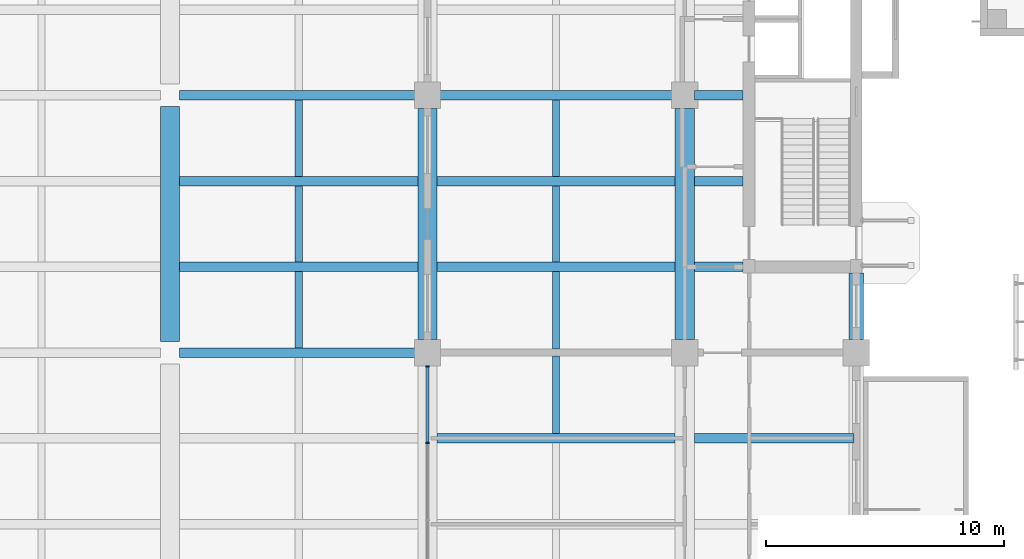
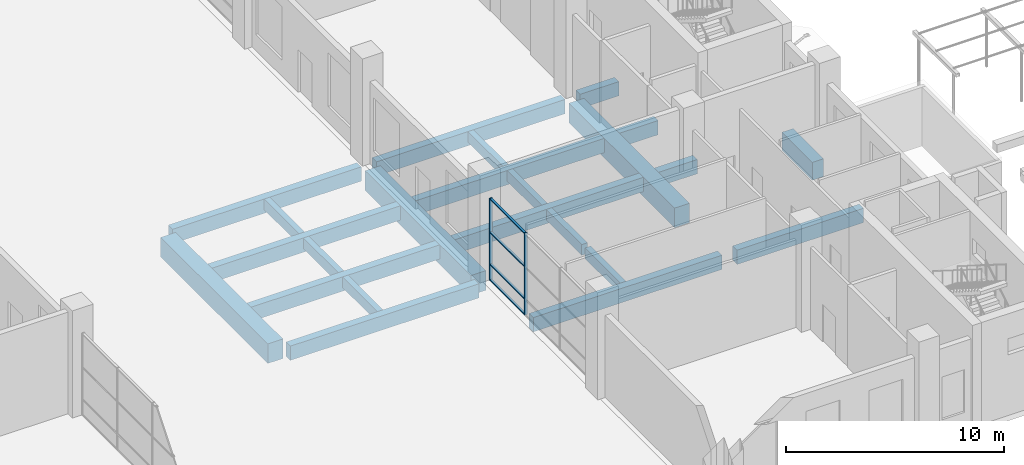
# One storey, part 29 of 71: 23 beams, 6 members, 1 element without a shape of its own.
"""IFC4 building model written with IfcOpenShell, lengths in metres."""

from ifc_helpers import new_model, si_unit, direction, frame, origin, origin_2d, place, context, subcontext, project, spatial, rectangle, extrude, material, layer, layer_set, material_profile, profile_set, type_object, element, aggregate, save


model = new_model("IFC4")

# Units and contexts
model_context = context("Model", 3, precision=1e-05, world=origin(), true_north=direction((0.0, 1.0)))
body_context = subcontext(model_context, "Body", "Model", "MODEL_VIEW")
ifc_project = project(units=[si_unit("LENGTHUNIT", "METRE"), si_unit("AREAUNIT", "SQUARE_METRE"), si_unit("VOLUMEUNIT", "CUBIC_METRE"), si_unit("PLANEANGLEUNIT", "RADIAN"), si_unit("MASSUNIT", "GRAM", prefix="KILO")], contexts=[model_context])

# Site, building, storey
site_placement = place(None, origin())
site = spatial("IfcSite", under=ifc_project, at=site_placement, CompositionType="ELEMENT")
building_placement = place(site_placement, origin())
building = spatial("IfcBuilding", under=site, at=building_placement, Name="Basin Gate Institute", CompositionType="ELEMENT")
storey_placement = place(building_placement, origin())
storey = spatial("IfcBuildingStorey", under=building, at=storey_placement, Name="L00", CompositionType="ELEMENT", Elevation=0.0)

# Beams
ifc_material_1 = material(Name="Concrete 40 MPa", Category="concrete")
ifc_material_profile_1 = material_profile(ifc_material_1, rectangle(XDim=0.39990234375, YDim=0.800048828125, at=origin_2d()), Name="Beam B2 400 x 800")
ifc_profile_set_1 = profile_set([ifc_material_profile_1], Name="Concrete 40 MPa")
beam_type_1 = type_object("IfcBeamType", Name="Beam B2 R180", PredefinedType="BEAM", material=ifc_profile_set_1)
beam_1_placement = place(storey_placement, frame((111.199951171875, 53.10009765625, -0.699951171875), z_axis=(-1.0, 0.0, 0.0), x_axis=(0.0, -1.0, 0.0)))
element("IfcBeam", 1, at=beam_1_placement, inside=storey, type_object=beam_type_1, material=ifc_profile_set_1, Name="BEAM/L00/E/EW/06", PredefinedType="BEAM", context=body_context, shape_type="SweptSolid", body=[
    extrude(rectangle(XDim=0.39990234375, YDim=0.800048828125, at=origin_2d()), origin(), (0.0, 0.0, 1.0), 10.0),
])
beam_2_placement = place(storey_placement, frame((118.699951171875, 53.10009765625, -0.699951171875), z_axis=(-1.0, 0.0, 0.0), x_axis=(0.0, -1.0, 0.0)))
element("IfcBeam", 2, at=beam_2_placement, inside=storey, type_object=beam_type_1, material=ifc_profile_set_1, Name="BEAM/L00/E/OUT/06", PredefinedType="BEAM", context=body_context, shape_type="SweptSolid", body=[
    extrude(rectangle(XDim=0.39990234375, YDim=0.800048828125, at=origin_2d()), origin(), (0.0, 0.0, 1.0), 6.699951171875),
])
beam_3_placement = place(storey_placement, frame((111.199951171875, 60.300048828125, -0.699951171875), z_axis=(-1.0, 0.0, 0.0), x_axis=(0.0, -1.0, 0.0)))
element("IfcBeam", 3, at=beam_3_placement, inside=storey, type_object=beam_type_1, material=ifc_profile_set_1, Name="BEAM/L00/E/EW/08", PredefinedType="BEAM", context=body_context, shape_type="SweptSolid", body=[
    extrude(rectangle(XDim=0.39990234375, YDim=0.800048828125, at=origin_2d()), origin(), (0.0, 0.0, 1.0), 10.0),
])
beam_4_placement = place(storey_placement, frame((114.050048828125, 60.300048828125, -0.699951171875), z_axis=(-1.0, 0.0, 0.0), x_axis=(0.0, -1.0, 0.0)))
element("IfcBeam", 4, at=beam_4_placement, inside=storey, type_object=beam_type_1, material=ifc_profile_set_1, Name="BEAM/L00/E/CORR/08", PredefinedType="BEAM", context=body_context, shape_type="SweptSolid", body=[
    extrude(rectangle(XDim=0.39990234375, YDim=0.800048828125, at=origin_2d()), origin(), (0.0, 0.0, 1.0), 2.050048828125),
])
beam_5_placement = place(storey_placement, frame((111.199951171875, 63.89990234375, -0.699951171875), z_axis=(-1.0, 0.0, 0.0), x_axis=(0.0, -1.0, 0.0)))
element("IfcBeam", 5, at=beam_5_placement, inside=storey, type_object=beam_type_1, material=ifc_profile_set_1, Name="BEAM/L00/E/EW/09", PredefinedType="BEAM", context=body_context, shape_type="SweptSolid", body=[
    extrude(rectangle(XDim=0.39990234375, YDim=0.800048828125, at=origin_2d()), origin(), (0.0, 0.0, 1.0), 10.0),
])
beam_6_placement = place(storey_placement, frame((114.050048828125, 63.89990234375, -0.699951171875), z_axis=(-1.0, 0.0, 0.0), x_axis=(0.0, -1.0, 0.0)))
element("IfcBeam", 6, at=beam_6_placement, inside=storey, type_object=beam_type_1, material=ifc_profile_set_1, Name="BEAM/L00/E/CORR/09", PredefinedType="BEAM", context=body_context, shape_type="SweptSolid", body=[
    extrude(rectangle(XDim=0.39990234375, YDim=0.800048828125, at=origin_2d()), origin(), (0.0, 0.0, 1.0), 2.050048828125),
])
beam_7_placement = place(storey_placement, frame((111.199951171875, 67.5, -0.699951171875), z_axis=(-1.0, 0.0, 0.0), x_axis=(0.0, -1.0, 0.0)))
element("IfcBeam", 7, at=beam_7_placement, inside=storey, type_object=beam_type_1, material=ifc_profile_set_1, Name="BEAM/L00/E/EW/10", PredefinedType="BEAM", context=body_context, shape_type="SweptSolid", body=[
    extrude(rectangle(XDim=0.39990234375, YDim=0.800048828125, at=origin_2d()), origin(), (0.0, 0.0, 1.0), 10.0),
])
beam_8_placement = place(storey_placement, frame((114.050048828125, 67.5, -0.699951171875), z_axis=(-1.0, 0.0, 0.0), x_axis=(0.0, -1.0, 0.0)))
element("IfcBeam", 8, at=beam_8_placement, inside=storey, type_object=beam_type_1, material=ifc_profile_set_1, Name="BEAM/L00/E/CORR/10", PredefinedType="BEAM", context=body_context, shape_type="SweptSolid", body=[
    extrude(rectangle(XDim=0.39990234375, YDim=0.800048828125, at=origin_2d()), origin(), (0.0, 0.0, 1.0), 2.050048828125),
])
for number, where, z_axis, x_axis, name in (
    (9, (90.39990234375, 56.699951171875, -0.699951171875), (1.0, 0.0, 0.0), (0.0, 1.0, 0.0), "BEAM/L00/CAN/E/07"),
    (10, (90.39990234375, 60.300048828125, -0.699951171875), (1.0, 0.0, 0.0), (0.0, 1.0, 0.0), "BEAM/L00/CAN/E/08"),
    (11, (90.39990234375, 63.89990234375, -0.699951171875), (1.0, 0.0, 0.0), (0.0, 1.0, 0.0), "BEAM/L00/CAN/E/09"),
    (12, (90.39990234375, 67.5, -0.699951171875), (1.0, 0.0, 0.0), (0.0, 1.0, 0.0), "BEAM/L00/CAN/E/10"),
):
    element("IfcBeam", number, at=place(storey_placement, frame(where, z_axis=z_axis, x_axis=x_axis)), inside=storey, type_object=beam_type_1, material=ifc_profile_set_1, Name=name, PredefinedType="BEAM", context=body_context, shape_type="SweptSolid", body=[
        extrude(rectangle(XDim=0.39990234375, YDim=0.800048828125, at=origin_2d()), origin(), (0.0, 0.0, 1.0), 10.0),
    ])
ifc_material_2 = material(Name="Concrete 50 MPa", Category="concrete")
ifc_material_profile_2 = material_profile(ifc_material_2, rectangle(XDim=0.60009765625, YDim=1.0, at=origin_2d()), Name="Edge return beam EB4 600 x 1000")
ifc_profile_set_2 = profile_set([ifc_material_profile_2], Name="Concrete 50 MPa")
beam_type_2 = type_object("IfcBeamType", Name="Edge return beam EB4 R180", PredefinedType="SPANDREL", material=ifc_profile_set_2)
beam_9_placement = place(storey_placement, frame((118.800048828125, 57.25, -0.800048828125), z_axis=(0.0, 1.0, 0.0), x_axis=(-1.0, 0.0, 0.0)))
element("IfcBeam", 13, at=beam_9_placement, inside=storey, type_object=beam_type_2, material=ifc_profile_set_2, Name="BEAM/L00/E/EDGE/2", PredefinedType="SPANDREL", context=body_context, shape_type="SweptSolid", body=[
    extrude(rectangle(XDim=0.60009765625, YDim=1.0, at=origin_2d()), origin(), (0.0, 0.0, 1.0), 2.800048828125),
])
ifc_material_3 = material(Name="Concrete 50 MPa", Category="concrete")
ifc_material_profile_3 = material_profile(ifc_material_3, rectangle(XDim=0.800048828125, YDim=1.10009765625, at=origin_2d()), Name="Girder G2 800 x 1100")
ifc_profile_set_3 = profile_set([ifc_material_profile_3], Name="Concrete 50 MPa")
beam_type_3 = type_object("IfcBeamType", Name="Girder G2 R180", PredefinedType="BEAM", material=ifc_profile_set_3)
for number, where, z_axis, x_axis, name in (
    (14, (111.60009765625, 57.25, -0.85009765625), (0.0, 1.0, 0.0), (-1.0, 0.0, 0.0), "GIR/L00/E8/3"),
    (15, (100.800048828125, 57.25, -0.85009765625), (0.0, 1.0, 0.0), (-1.0, 0.0, 0.0), "GIR/L00/E7/3"),
):
    element("IfcBeam", number, at=place(storey_placement, frame(where, z_axis=z_axis, x_axis=x_axis)), inside=storey, type_object=beam_type_3, material=ifc_profile_set_3, Name=name, PredefinedType="BEAM", context=body_context, shape_type="SweptSolid", body=[
        extrude(rectangle(XDim=0.800048828125, YDim=1.10009765625, at=origin_2d()), origin(), (0.0, 0.0, 1.0), 9.699951171875),
    ])
beam_10_placement = place(storey_placement, frame((90.0, 57.175048828125, -0.85009765625), z_axis=(0.0, 1.0, 0.0), x_axis=(-1.0, 0.0, 0.0)))
element("IfcBeam", 16, at=beam_10_placement, inside=storey, type_object=beam_type_3, material=ifc_profile_set_3, Name="GIR/L00/C65/3", PredefinedType="BEAM", context=body_context, shape_type="SweptSolid", body=[
    extrude(rectangle(XDim=0.800048828125, YDim=1.10009765625, at=origin_2d()), origin(), (0.0, 0.0, 1.0), 9.849853515625),
])

# Curtain wall, members
ifc_material_4 = material(Name="Fire-resistant glazing in steel-free frame", Category="steel")
ifc_layer = layer(ifc_material_4, 0.199951171875)
ifc_layer_set = layer_set([ifc_layer], Name="Fire-resistant glazing in steel-free frame")
curtain_wall_type = type_object("IfcCurtainWallType", Name="Atrium rated curtain wall CW3", PredefinedType="NOTDEFINED", material=ifc_layer_set)
curtain_wall_placement = place(storey_placement, origin())
curtain_wall = element("IfcCurtainWall", 17, at=curtain_wall_placement, inside=storey, type_object=curtain_wall_type, material=ifc_layer_set, Name="Atrium rated curtain wall E wing atrium bay 2 L00", PredefinedType="NOTDEFINED")
ifc_material_5 = material(Name="Aluminium", Category="aluminium")
ifc_material_profile_4 = material_profile(ifc_material_5, rectangle(XDim=0.14990234375, YDim=0.06005859375, at=origin_2d()), Name="Mullion MU3 150 x 60")
ifc_profile_set_4 = profile_set([ifc_material_profile_4], Name="Aluminium")
member_type_1 = type_object("IfcMemberType", Name="Mullion MU3", PredefinedType="MULLION", material=ifc_profile_set_4)
member_1_placement = place(storey_placement, frame((100.800048828125, 52.916748046875, 0.0), z_axis=(0.0, 0.0, 1.0), x_axis=(-1.0, 0.0, 0.0)))
member_1 = element("IfcMember", 18, at=member_1_placement, type_object=member_type_1, material=ifc_profile_set_4, Name="CW3 mullion 3", PredefinedType="MULLION", context=body_context, shape_type="SweptSolid", body=[
    extrude(rectangle(XDim=0.14990234375, YDim=0.06005859375, at=origin_2d()), origin(), (0.0, 0.0, 1.0), 4.60009765625),
])
member_2_placement = place(storey_placement, frame((100.800048828125, 56.1201171875, 0.0), z_axis=(0.0, 0.0, 1.0), x_axis=(-1.0, 0.0, 0.0)))
member_2 = element("IfcMember", 19, at=member_2_placement, type_object=member_type_1, material=ifc_profile_set_4, Name="CW3 mullion 4", PredefinedType="MULLION", context=body_context, shape_type="SweptSolid", body=[
    extrude(rectangle(XDim=0.14990234375, YDim=0.06005859375, at=origin_2d()), origin(), (0.0, 0.0, 1.0), 4.60009765625),
])

# Beams
ifc_material_6 = material(Name="Concrete 40 MPa", Category="concrete")
ifc_material_profile_5 = material_profile(ifc_material_6, rectangle(XDim=0.300048828125, YDim=0.60009765625, at=origin_2d()), Name="Rib R2 300 x 600")
ifc_profile_set_5 = profile_set([ifc_material_profile_5], Name="Concrete 40 MPa")
beam_type_4 = type_object("IfcBeamType", Name="Rib R2 R180", PredefinedType="JOIST", material=ifc_profile_set_5)
for number, where, z_axis, x_axis, name in (
    (20, (106.199951171875, 53.300048828125, -0.60009765625), (0.0, 1.0, 0.0), (-1.0, 0.0, 0.0), "BEAM/L00/E/RIB/06"),
    (21, (106.199951171875, 56.85009765625, -0.60009765625), (0.0, 1.0, 0.0), (-1.0, 0.0, 0.0), "BEAM/L00/E/RIB/07"),
):
    element("IfcBeam", number, at=place(storey_placement, frame(where, z_axis=z_axis, x_axis=x_axis)), inside=storey, type_object=beam_type_4, material=ifc_profile_set_5, Name=name, PredefinedType="JOIST", context=body_context, shape_type="SweptSolid", body=[
        extrude(rectangle(XDim=0.300048828125, YDim=0.60009765625, at=origin_2d()), origin(), (0.0, 0.0, 1.0), 3.25),
    ])
for number, where, z_axis, x_axis, name in (
    (22, (106.199951171875, 60.5, -0.60009765625), (0.0, 1.0, 0.0), (-1.0, 0.0, 0.0), "BEAM/L00/E/RIB/08"),
    (23, (106.199951171875, 64.10009765625, -0.60009765625), (0.0, 1.0, 0.0), (-1.0, 0.0, 0.0), "BEAM/L00/E/RIB/09"),
):
    element("IfcBeam", number, at=place(storey_placement, frame(where, z_axis=z_axis, x_axis=x_axis)), inside=storey, type_object=beam_type_4, material=ifc_profile_set_5, Name=name, PredefinedType="JOIST", context=body_context, shape_type="SweptSolid", body=[
        extrude(rectangle(XDim=0.300048828125, YDim=0.60009765625, at=origin_2d()), origin(), (0.0, 0.0, 1.0), 3.199951171875),
    ])
beam_11_placement = place(storey_placement, frame((95.39990234375, 56.89990234375, -0.60009765625), z_axis=(0.0, 1.0, 0.0), x_axis=(-1.0, 0.0, 0.0)))
element("IfcBeam", 24, at=beam_11_placement, inside=storey, type_object=beam_type_4, material=ifc_profile_set_5, Name="BEAM/L00/CAN/RIBE/07", PredefinedType="JOIST", context=body_context, shape_type="SweptSolid", body=[
    extrude(rectangle(XDim=0.300048828125, YDim=0.60009765625, at=origin_2d()), origin(), (0.0, 0.0, 1.0), 3.2001953125),
])
for number, where, z_axis, x_axis, name in (
    (25, (95.39990234375, 60.5, -0.60009765625), (0.0, 1.0, 0.0), (-1.0, 0.0, 0.0), "BEAM/L00/CAN/RIBE/08"),
    (26, (95.39990234375, 64.10009765625, -0.60009765625), (0.0, 1.0, 0.0), (-1.0, 0.0, 0.0), "BEAM/L00/CAN/RIBE/09"),
):
    element("IfcBeam", number, at=place(storey_placement, frame(where, z_axis=z_axis, x_axis=x_axis)), inside=storey, type_object=beam_type_4, material=ifc_profile_set_5, Name=name, PredefinedType="JOIST", context=body_context, shape_type="SweptSolid", body=[
        extrude(rectangle(XDim=0.300048828125, YDim=0.60009765625, at=origin_2d()), origin(), (0.0, 0.0, 1.0), 3.199951171875),
    ])

# Member
ifc_material_7 = material(Name="Aluminium", Category="aluminium")
ifc_material_profile_6 = material_profile(ifc_material_7, rectangle(XDim=0.1201171875, YDim=0.06005859375, at=origin_2d()), Name="Transom TR3 120 x 60")
ifc_profile_set_6 = profile_set([ifc_material_profile_6], Name="Aluminium")
member_type_2 = type_object("IfcMemberType", Name="Transom TR3", PredefinedType="USERDEFINED", material=ifc_profile_set_6)
member_3_placement = place(storey_placement, frame((100.800048828125, 52.94677734375, 0.030029296875), z_axis=(0.0, 1.0, 0.0), x_axis=(-1.0, 0.0, 0.0)))
member_3 = element("IfcMember", 27, at=member_3_placement, type_object=member_type_2, material=ifc_profile_set_6, Name="CW3 transom 3.1", ObjectType="TRANSOM", PredefinedType="USERDEFINED", context=body_context, shape_type="SweptSolid", body=[
    extrude(rectangle(XDim=0.1201171875, YDim=0.06005859375, at=origin_2d()), origin(), (0.0, 0.0, 1.0), 3.143310546875),
])

member_4_placement = place(storey_placement, frame((100.800048828125, 52.94677734375, 0.89990234375), z_axis=(0.0, 1.0, 0.0), x_axis=(-1.0, 0.0, 0.0)))
member_4 = element("IfcMember", 28, at=member_4_placement, type_object=member_type_2, material=ifc_profile_set_6, Name="CW3 transom 3.2", ObjectType="TRANSOM", PredefinedType="USERDEFINED", context=body_context, shape_type="SweptSolid", body=[
    extrude(rectangle(XDim=0.1201171875, YDim=0.06005859375, at=origin_2d()), origin(), (0.0, 0.0, 1.0), 3.143310546875),
])

member_5_placement = place(storey_placement, frame((100.800048828125, 52.94677734375, 2.699951171875), z_axis=(0.0, 1.0, 0.0), x_axis=(-1.0, 0.0, 0.0)))
member_5 = element("IfcMember", 29, at=member_5_placement, type_object=member_type_2, material=ifc_profile_set_6, Name="CW3 transom 3.3", ObjectType="TRANSOM", PredefinedType="USERDEFINED", context=body_context, shape_type="SweptSolid", body=[
    extrude(rectangle(XDim=0.1201171875, YDim=0.06005859375, at=origin_2d()), origin(), (0.0, 0.0, 1.0), 3.143310546875),
])

member_6_placement = place(storey_placement, frame((100.800048828125, 52.94677734375, 4.570068359375), z_axis=(0.0, 1.0, 0.0), x_axis=(-1.0, 0.0, 0.0)))
member_6 = element("IfcMember", 30, at=member_6_placement, type_object=member_type_2, material=ifc_profile_set_6, Name="CW3 transom 3.4", ObjectType="TRANSOM", PredefinedType="USERDEFINED", context=body_context, shape_type="SweptSolid", body=[
    extrude(rectangle(XDim=0.1201171875, YDim=0.06005859375, at=origin_2d()), origin(), (0.0, 0.0, 1.0), 3.143310546875),
])

aggregate(curtain_wall, [member_1, member_2, member_3, member_4, member_5, member_6])

save(model, "model.ifc")
